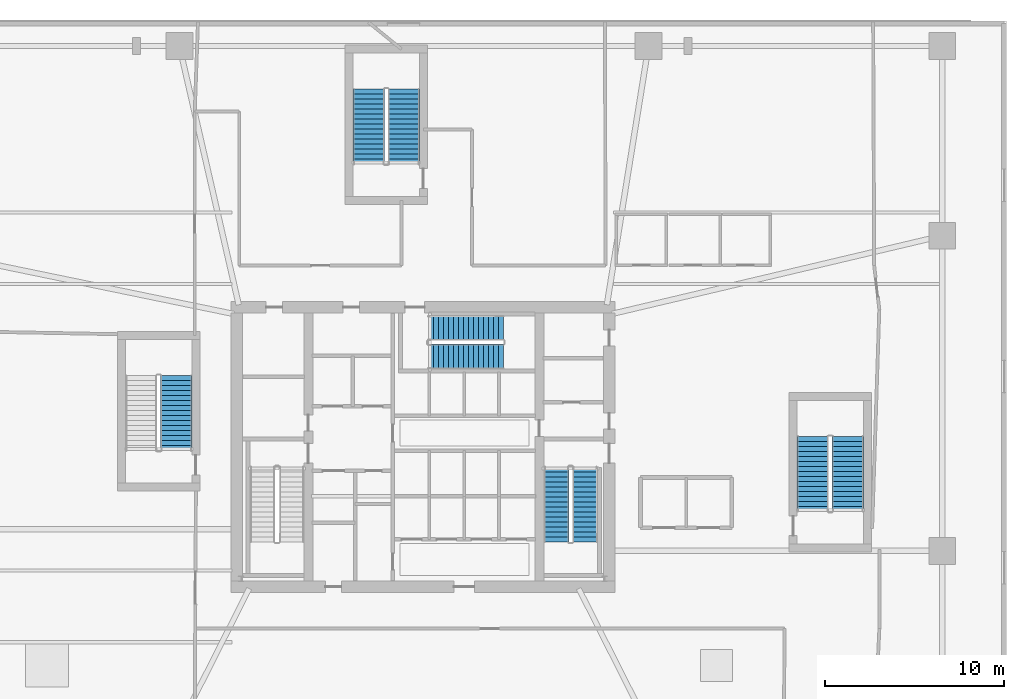
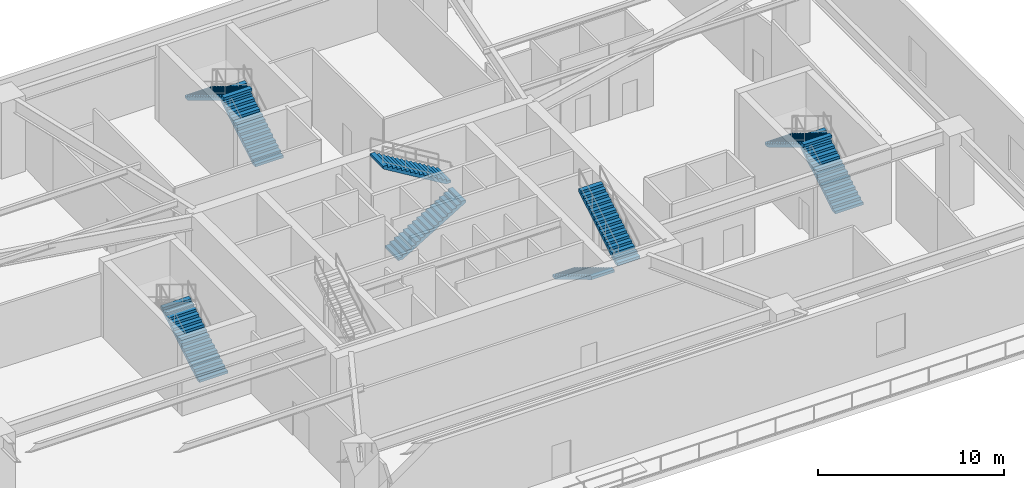
# One storey, part 7 of 11: 9 stair flights, 5 elements without a shape of their own.
"""IFC4 building model written with IfcOpenShell, lengths in metres."""

from ifc_helpers import new_model, si_unit, direction, frame, origin, place, context, subcontext, project, spatial, polyline, outline, extrude, material, type_object, element, aggregate, save


model = new_model("IFC4")

# Units and contexts
model_context = context("Model", 3, precision=1e-05, world=origin(), true_north=direction((0.0, 1.0)))
body_context = subcontext(model_context, "Body", "Model", "MODEL_VIEW")
ifc_project = project(units=[si_unit("LENGTHUNIT", "METRE"), si_unit("AREAUNIT", "SQUARE_METRE"), si_unit("VOLUMEUNIT", "CUBIC_METRE"), si_unit("PLANEANGLEUNIT", "RADIAN"), si_unit("MASSUNIT", "GRAM", prefix="KILO")], contexts=[model_context])

# Site, building, storey
site_placement = place(None, origin())
site = spatial("IfcSite", under=ifc_project, at=site_placement, CompositionType="ELEMENT")
building_placement = place(site_placement, origin())
building = spatial("IfcBuilding", under=site, at=building_placement, Name="Qarnah Convention Tower", CompositionType="ELEMENT")
storey_placement = place(building_placement, frame((0.0, 0.0, 16.199951171875)))
storey = spatial("IfcBuildingStorey", under=building, at=storey_placement, Name="L03", CompositionType="ELEMENT", Elevation=16.199951171875)

# Stair, stair flights
ifc_material = material(Name="Concrete C50/60", Category="concrete")
stair_type_1 = type_object("IfcStairType", Name="STR-POD", PredefinedType="HALF_TURN_STAIR", material=ifc_material)
stair_1_placement = place(storey_placement, origin())
stair_1 = element("IfcStair", 1, at=stair_1_placement, inside=storey, type_object=stair_type_1, Name="L03 Core exit stair ST-2", PredefinedType="HALF_TURN_STAIR")
stair_flight_type_1 = type_object("IfcStairFlightType", Name="FLT-POD", PredefinedType="STRAIGHT", material=ifc_material)
stair_flight_1_placement = place(storey_placement, frame((44.64990234375, 25.300048828125, 0.0), z_axis=(0.0, 0.0, 1.0), x_axis=(0.0, -1.0, 0.0)))
stair_flight_1 = element("IfcStairFlight", 2, at=stair_flight_1_placement, type_object=stair_flight_type_1, Name="ST-2 flight 1", NumberOfRisers=16, NumberOfTreads=15, PredefinedType="STRAIGHT", RiserHeight=0.16875, TreadLength=0.28, context=body_context, shape_type="SweptSolid", body=[
    extrude(outline(polyline([(0.0, 0.0), (0.0, 0.168701171875), (0.280029296875, 0.168701171875), (0.280029296875, 0.33740234375), (0.56005859375, 0.33740234375), (0.56005859375, 0.50634765625), (0.840087890625, 0.50634765625), (0.840087890625, 0.675048828125), (1.1201171875, 0.675048828125), (1.1201171875, 0.84375), (1.39990234375, 0.84375), (1.39990234375, 1.012451171875), (1.679931640625, 1.012451171875), (1.679931640625, 1.18115234375), (1.9599609375, 1.18115234375), (1.9599609375, 1.35009765625), (2.239990234375, 1.35009765625), (2.239990234375, 1.518798828125), (2.52001953125, 1.518798828125), (2.52001953125, 1.6875), (2.800048828125, 1.6875), (2.800048828125, 1.856201171875), (3.080078125, 1.856201171875), (3.080078125, 2.02490234375), (3.360107421875, 2.02490234375), (3.360107421875, 2.19384765625), (3.639892578125, 2.19384765625), (3.639892578125, 2.362548828125), (3.919921875, 2.362548828125), (3.919921875, 2.53125), (4.199951171875, 2.53125), (4.199951171875, 2.699951171875), (4.199951171875, 2.356201171875), (0.29052734375, 0.0), (0.0, 0.0)])), frame((0.0, 0.699951171875, 0.0), z_axis=(0.0, -1.0, 0.0), x_axis=(1.0, 0.0, 0.0)), (0.0, 0.0, 1.0), 1.39990234375),
])
stair_flight_2_placement = place(storey_placement, frame((46.25, 21.10009765625, 2.699951171875), z_axis=(0.0, 0.0, 1.0), x_axis=(0.0, 1.0, 0.0)))
stair_flight_2 = element("IfcStairFlight", 3, at=stair_flight_2_placement, type_object=stair_flight_type_1, Name="ST-2 flight 2", NumberOfRisers=16, NumberOfTreads=15, PredefinedType="STRAIGHT", RiserHeight=0.16875, TreadLength=0.28, context=body_context, shape_type="SweptSolid", body=[
    extrude(outline(polyline([(0.0, 0.0), (0.0, 0.168701171875), (0.280029296875, 0.168701171875), (0.280029296875, 0.33740234375), (0.56005859375, 0.33740234375), (0.56005859375, 0.50634765625), (0.840087890625, 0.50634765625), (0.840087890625, 0.675048828125), (1.1201171875, 0.675048828125), (1.1201171875, 0.84375), (1.39990234375, 0.84375), (1.39990234375, 1.012451171875), (1.679931640625, 1.012451171875), (1.679931640625, 1.18115234375), (1.9599609375, 1.18115234375), (1.9599609375, 1.35009765625), (2.239990234375, 1.35009765625), (2.239990234375, 1.518798828125), (2.52001953125, 1.518798828125), (2.52001953125, 1.6875), (2.800048828125, 1.6875), (2.800048828125, 1.856201171875), (3.080078125, 1.856201171875), (3.080078125, 2.02490234375), (3.360107421875, 2.02490234375), (3.360107421875, 2.19384765625), (3.639892578125, 2.19384765625), (3.639892578125, 2.362548828125), (3.919921875, 2.362548828125), (3.919921875, 2.53125), (4.199951171875, 2.53125), (4.199951171875, 2.699951171875), (4.199951171875, 2.356201171875), (0.29052734375, 0.0), (0.0, 0.0)])), frame((0.0, 0.699951171875, 0.0), z_axis=(0.0, -1.0, 0.0), x_axis=(1.0, 0.0, 0.0)), (0.0, 0.0, 1.0), 1.39990234375),
])
aggregate(stair_1, [stair_flight_1, stair_flight_2])

stair_2_placement = place(storey_placement, origin())
stair_2 = element("IfcStair", 4, at=stair_2_placement, inside=storey, type_object=stair_type_1, Name="L03 Core exit stair ST-3", PredefinedType="HALF_TURN_STAIR")
stair_flight_3_placement = place(storey_placement, frame((37.5, 31.449951171875, 0.0), z_axis=(0.0, 0.0, 1.0), x_axis=(1.0, 0.0, 0.0)))
stair_flight_3 = element("IfcStairFlight", 5, at=stair_flight_3_placement, type_object=stair_flight_type_1, Name="ST-3 flight 1", NumberOfRisers=16, NumberOfTreads=15, PredefinedType="STRAIGHT", RiserHeight=0.16875, TreadLength=0.28, context=body_context, shape_type="SweptSolid", body=[
    extrude(outline(polyline([(0.0, 0.0), (0.0, 0.168701171875), (0.280029296875, 0.168701171875), (0.280029296875, 0.33740234375), (0.56005859375, 0.33740234375), (0.56005859375, 0.50634765625), (0.840087890625, 0.50634765625), (0.840087890625, 0.675048828125), (1.1201171875, 0.675048828125), (1.1201171875, 0.84375), (1.39990234375, 0.84375), (1.39990234375, 1.012451171875), (1.679931640625, 1.012451171875), (1.679931640625, 1.18115234375), (1.9599609375, 1.18115234375), (1.9599609375, 1.35009765625), (2.239990234375, 1.35009765625), (2.239990234375, 1.518798828125), (2.52001953125, 1.518798828125), (2.52001953125, 1.6875), (2.800048828125, 1.6875), (2.800048828125, 1.856201171875), (3.080078125, 1.856201171875), (3.080078125, 2.02490234375), (3.360107421875, 2.02490234375), (3.360107421875, 2.19384765625), (3.639892578125, 2.19384765625), (3.639892578125, 2.362548828125), (3.919921875, 2.362548828125), (3.919921875, 2.53125), (4.199951171875, 2.53125), (4.199951171875, 2.699951171875), (4.199951171875, 2.356201171875), (0.29052734375, 0.0), (0.0, 0.0)])), frame((0.0, 0.699951171875, 0.0), z_axis=(0.0, -1.0, 0.0), x_axis=(1.0, 0.0, 0.0)), (0.0, 0.0, 1.0), 1.39990234375),
])
stair_flight_4_placement = place(storey_placement, frame((41.699951171875, 33.050048828125, 2.699951171875), z_axis=(0.0, 0.0, 1.0), x_axis=(-1.0, 0.0, 0.0)))
stair_flight_4 = element("IfcStairFlight", 6, at=stair_flight_4_placement, type_object=stair_flight_type_1, Name="ST-3 flight 2", NumberOfRisers=16, NumberOfTreads=15, PredefinedType="STRAIGHT", RiserHeight=0.16875, TreadLength=0.28, context=body_context, shape_type="SweptSolid", body=[
    extrude(outline(polyline([(0.0, 0.0), (0.0, 0.168701171875), (0.280029296875, 0.168701171875), (0.280029296875, 0.33740234375), (0.56005859375, 0.33740234375), (0.56005859375, 0.50634765625), (0.840087890625, 0.50634765625), (0.840087890625, 0.675048828125), (1.1201171875, 0.675048828125), (1.1201171875, 0.84375), (1.39990234375, 0.84375), (1.39990234375, 1.012451171875), (1.679931640625, 1.012451171875), (1.679931640625, 1.18115234375), (1.9599609375, 1.18115234375), (1.9599609375, 1.35009765625), (2.239990234375, 1.35009765625), (2.239990234375, 1.518798828125), (2.52001953125, 1.518798828125), (2.52001953125, 1.6875), (2.800048828125, 1.6875), (2.800048828125, 1.856201171875), (3.080078125, 1.856201171875), (3.080078125, 2.02490234375), (3.360107421875, 2.02490234375), (3.360107421875, 2.19384765625), (3.639892578125, 2.19384765625), (3.639892578125, 2.362548828125), (3.919921875, 2.362548828125), (3.919921875, 2.53125), (4.199951171875, 2.53125), (4.199951171875, 2.699951171875), (4.199951171875, 2.356201171875), (0.29052734375, 0.0), (0.0, 0.0)])), frame((0.0, 0.699951171875, 0.0), z_axis=(0.0, -1.0, 0.0), x_axis=(1.0, 0.0, 0.0)), (0.0, 0.0, 1.0), 1.39990234375),
])
aggregate(stair_2, [stair_flight_3, stair_flight_4])

stair_type_2 = type_object("IfcStairType", Name="STR-PODW", PredefinedType="HALF_TURN_STAIR", material=ifc_material)
stair_3_placement = place(storey_placement, origin())
stair_3 = element("IfcStair", 7, at=stair_3_placement, inside=storey, type_object=stair_type_2, Name="L03 Podium east convention exit stair ST-4", PredefinedType="HALF_TURN_STAIR")
stair_flight_type_2 = type_object("IfcStairFlightType", Name="FLT-PODW", PredefinedType="STRAIGHT", material=ifc_material)
stair_flight_5_placement = place(storey_placement, frame((60.925048828125, 22.800048828125, 0.0), z_axis=(0.0, 0.0, 1.0), x_axis=(0.0, 1.0, 0.0)))
stair_flight_5 = element("IfcStairFlight", 8, at=stair_flight_5_placement, type_object=stair_flight_type_2, Name="ST-4 flight 1", NumberOfRisers=16, NumberOfTreads=15, PredefinedType="STRAIGHT", RiserHeight=0.16875, TreadLength=0.28, context=body_context, shape_type="SweptSolid", body=[
    extrude(outline(polyline([(0.0, 0.0), (0.0, 0.168701171875), (0.280029296875, 0.168701171875), (0.280029296875, 0.33740234375), (0.56005859375, 0.33740234375), (0.56005859375, 0.50634765625), (0.840087890625, 0.50634765625), (0.840087890625, 0.675048828125), (1.1201171875, 0.675048828125), (1.1201171875, 0.84375), (1.39990234375, 0.84375), (1.39990234375, 1.012451171875), (1.679931640625, 1.012451171875), (1.679931640625, 1.18115234375), (1.9599609375, 1.18115234375), (1.9599609375, 1.35009765625), (2.239990234375, 1.35009765625), (2.239990234375, 1.518798828125), (2.52001953125, 1.518798828125), (2.52001953125, 1.6875), (2.800048828125, 1.6875), (2.800048828125, 1.856201171875), (3.080078125, 1.856201171875), (3.080078125, 2.02490234375), (3.360107421875, 2.02490234375), (3.360107421875, 2.19384765625), (3.639892578125, 2.19384765625), (3.639892578125, 2.362548828125), (3.919921875, 2.362548828125), (3.919921875, 2.53125), (4.199951171875, 2.53125), (4.199951171875, 2.699951171875), (4.199951171875, 2.356201171875), (0.29052734375, 0.0), (0.0, 0.0)])), frame((0.0, 0.875, 0.0), z_axis=(0.0, -1.0, 0.0), x_axis=(1.0, 0.0, 0.0)), (0.0, 0.0, 1.0), 1.75),
])
stair_flight_6_placement = place(storey_placement, frame((58.97509765625, 27.0, 2.699951171875), z_axis=(0.0, 0.0, 1.0), x_axis=(0.0, -1.0, 0.0)))
stair_flight_6 = element("IfcStairFlight", 9, at=stair_flight_6_placement, type_object=stair_flight_type_2, Name="ST-4 flight 2", NumberOfRisers=16, NumberOfTreads=15, PredefinedType="STRAIGHT", RiserHeight=0.16875, TreadLength=0.28, context=body_context, shape_type="SweptSolid", body=[
    extrude(outline(polyline([(0.0, 0.0), (0.0, 0.168701171875), (0.280029296875, 0.168701171875), (0.280029296875, 0.33740234375), (0.56005859375, 0.33740234375), (0.56005859375, 0.50634765625), (0.840087890625, 0.50634765625), (0.840087890625, 0.675048828125), (1.1201171875, 0.675048828125), (1.1201171875, 0.84375), (1.39990234375, 0.84375), (1.39990234375, 1.012451171875), (1.679931640625, 1.012451171875), (1.679931640625, 1.18115234375), (1.9599609375, 1.18115234375), (1.9599609375, 1.35009765625), (2.239990234375, 1.35009765625), (2.239990234375, 1.518798828125), (2.52001953125, 1.518798828125), (2.52001953125, 1.6875), (2.800048828125, 1.6875), (2.800048828125, 1.856201171875), (3.080078125, 1.856201171875), (3.080078125, 2.02490234375), (3.360107421875, 2.02490234375), (3.360107421875, 2.19384765625), (3.639892578125, 2.19384765625), (3.639892578125, 2.362548828125), (3.919921875, 2.362548828125), (3.919921875, 2.53125), (4.199951171875, 2.53125), (4.199951171875, 2.699951171875), (4.199951171875, 2.356201171875), (0.29052734375, 0.0), (0.0, 0.0)])), frame((0.0, 0.875, 0.0), z_axis=(0.0, -1.0, 0.0), x_axis=(1.0, 0.0, 0.0)), (0.0, 0.0, 1.0), 1.75),
])
aggregate(stair_3, [stair_flight_5, stair_flight_6])

# Stair, stair flight
stair_4_placement = place(storey_placement, origin())
stair_4 = element("IfcStair", 10, at=stair_4_placement, inside=storey, type_object=stair_type_2, Name="L03 Podium west exhibition exit stair ST-5", PredefinedType="HALF_TURN_STAIR")
stair_flight_7_placement = place(storey_placement, frame((23.425048828125, 26.199951171875, 0.0), z_axis=(0.0, 0.0, 1.0), x_axis=(0.0, 1.0, 0.0)))
stair_flight_7 = element("IfcStairFlight", 11, at=stair_flight_7_placement, type_object=stair_flight_type_2, Name="ST-5 flight 1", NumberOfRisers=16, NumberOfTreads=15, PredefinedType="STRAIGHT", RiserHeight=0.16875, TreadLength=0.28, context=body_context, shape_type="SweptSolid", body=[
    extrude(outline(polyline([(0.0, 0.0), (0.0, 0.168701171875), (0.280029296875, 0.168701171875), (0.280029296875, 0.33740234375), (0.56005859375, 0.33740234375), (0.56005859375, 0.50634765625), (0.840087890625, 0.50634765625), (0.840087890625, 0.675048828125), (1.1201171875, 0.675048828125), (1.1201171875, 0.84375), (1.39990234375, 0.84375), (1.39990234375, 1.012451171875), (1.679931640625, 1.012451171875), (1.679931640625, 1.18115234375), (1.9599609375, 1.18115234375), (1.9599609375, 1.35009765625), (2.239990234375, 1.35009765625), (2.239990234375, 1.518798828125), (2.52001953125, 1.518798828125), (2.52001953125, 1.6875), (2.800048828125, 1.6875), (2.800048828125, 1.856201171875), (3.080078125, 1.856201171875), (3.080078125, 2.02490234375), (3.360107421875, 2.02490234375), (3.360107421875, 2.19384765625), (3.639892578125, 2.19384765625), (3.639892578125, 2.362548828125), (3.919921875, 2.362548828125), (3.919921875, 2.53125), (4.199951171875, 2.53125), (4.199951171875, 2.699951171875), (4.199951171875, 2.356201171875), (0.29052734375, 0.0), (0.0, 0.0)])), frame((0.0, 0.875, 0.0), z_axis=(0.0, -1.0, 0.0), x_axis=(1.0, 0.0, 0.0)), (0.0, 0.0, 1.0), 1.75),
])
aggregate(stair_4, [stair_flight_7])

# Stair, stair flights
stair_5_placement = place(storey_placement, origin())
stair_5 = element("IfcStair", 12, at=stair_5_placement, inside=storey, type_object=stair_type_2, Name="L03 Podium north ballroom exit stair ST-6", PredefinedType="HALF_TURN_STAIR")
stair_flight_8_placement = place(storey_placement, frame((36.125, 42.199951171875, 0.0), z_axis=(0.0, 0.0, 1.0), x_axis=(0.0, 1.0, 0.0)))
stair_flight_8 = element("IfcStairFlight", 13, at=stair_flight_8_placement, type_object=stair_flight_type_2, Name="ST-6 flight 1", NumberOfRisers=16, NumberOfTreads=15, PredefinedType="STRAIGHT", RiserHeight=0.16875, TreadLength=0.28, context=body_context, shape_type="SweptSolid", body=[
    extrude(outline(polyline([(0.0, 0.0), (0.0, 0.168701171875), (0.280029296875, 0.168701171875), (0.280029296875, 0.33740234375), (0.56005859375, 0.33740234375), (0.56005859375, 0.50634765625), (0.840087890625, 0.50634765625), (0.840087890625, 0.675048828125), (1.1201171875, 0.675048828125), (1.1201171875, 0.84375), (1.39990234375, 0.84375), (1.39990234375, 1.012451171875), (1.679931640625, 1.012451171875), (1.679931640625, 1.18115234375), (1.9599609375, 1.18115234375), (1.9599609375, 1.35009765625), (2.239990234375, 1.35009765625), (2.239990234375, 1.518798828125), (2.52001953125, 1.518798828125), (2.52001953125, 1.6875), (2.800048828125, 1.6875), (2.800048828125, 1.856201171875), (3.080078125, 1.856201171875), (3.080078125, 2.02490234375), (3.360107421875, 2.02490234375), (3.360107421875, 2.19384765625), (3.639892578125, 2.19384765625), (3.639892578125, 2.362548828125), (3.919921875, 2.362548828125), (3.919921875, 2.53125), (4.199951171875, 2.53125), (4.199951171875, 2.699951171875), (4.199951171875, 2.356201171875), (0.29052734375, 0.0), (0.0, 0.0)])), frame((0.0, 0.875, 0.0), z_axis=(0.0, -1.0, 0.0), x_axis=(1.0, 0.0, 0.0)), (0.0, 0.0, 1.0), 1.75),
])
stair_flight_9_placement = place(storey_placement, frame((34.175048828125, 46.39990234375, 2.699951171875), z_axis=(0.0, 0.0, 1.0), x_axis=(0.0, -1.0, 0.0)))
stair_flight_9 = element("IfcStairFlight", 14, at=stair_flight_9_placement, type_object=stair_flight_type_2, Name="ST-6 flight 2", NumberOfRisers=16, NumberOfTreads=15, PredefinedType="STRAIGHT", RiserHeight=0.16875, TreadLength=0.28, context=body_context, shape_type="SweptSolid", body=[
    extrude(outline(polyline([(0.0, 0.0), (0.0, 0.168701171875), (0.280029296875, 0.168701171875), (0.280029296875, 0.33740234375), (0.56005859375, 0.33740234375), (0.56005859375, 0.50634765625), (0.840087890625, 0.50634765625), (0.840087890625, 0.675048828125), (1.1201171875, 0.675048828125), (1.1201171875, 0.84375), (1.39990234375, 0.84375), (1.39990234375, 1.012451171875), (1.679931640625, 1.012451171875), (1.679931640625, 1.18115234375), (1.9599609375, 1.18115234375), (1.9599609375, 1.35009765625), (2.239990234375, 1.35009765625), (2.239990234375, 1.518798828125), (2.52001953125, 1.518798828125), (2.52001953125, 1.6875), (2.800048828125, 1.6875), (2.800048828125, 1.856201171875), (3.080078125, 1.856201171875), (3.080078125, 2.02490234375), (3.360107421875, 2.02490234375), (3.360107421875, 2.19384765625), (3.639892578125, 2.19384765625), (3.639892578125, 2.362548828125), (3.919921875, 2.362548828125), (3.919921875, 2.53125), (4.199951171875, 2.53125), (4.199951171875, 2.699951171875), (4.199951171875, 2.356201171875), (0.29052734375, 0.0), (0.0, 0.0)])), frame((0.0, 0.875, 0.0), z_axis=(0.0, -1.0, 0.0), x_axis=(1.0, 0.0, 0.0)), (0.0, 0.0, 1.0), 1.75),
])
aggregate(stair_5, [stair_flight_8, stair_flight_9])

save(model, "model.ifc")
